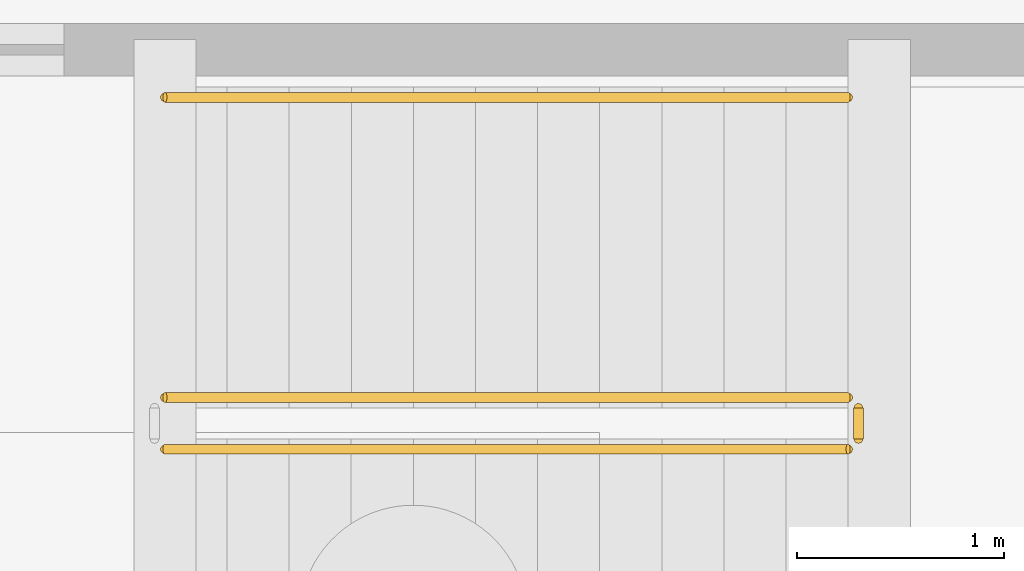
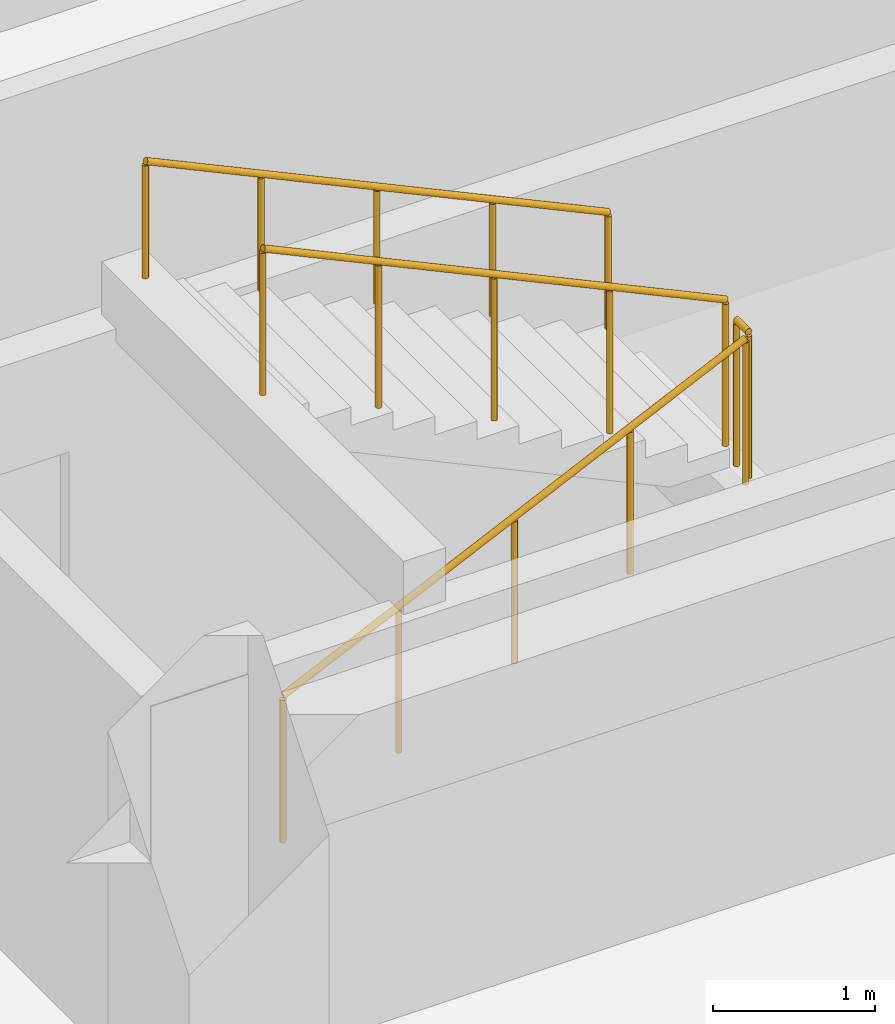
# One storey, part 64 of 70: 4 railings.
"""IFC4 building model written with IfcOpenShell, lengths in metres."""

from ifc_helpers import new_model, si_unit, direction, frame, origin, origin_2d, place, context, subcontext, project, spatial, circle, extrude, material, type_object, element, save


model = new_model("IFC4")

# Units and contexts
model_context = context("Model", 3, precision=1e-05, world=origin(), true_north=direction((0.0, 1.0)))
body_context = subcontext(model_context, "Body", "Model", "MODEL_VIEW")
ifc_project = project(units=[si_unit("LENGTHUNIT", "METRE"), si_unit("AREAUNIT", "SQUARE_METRE"), si_unit("VOLUMEUNIT", "CUBIC_METRE"), si_unit("PLANEANGLEUNIT", "RADIAN"), si_unit("MASSUNIT", "GRAM", prefix="KILO")], contexts=[model_context])

# Site, building, storey
site_placement = place(None, origin())
site = spatial("IfcSite", under=ifc_project, at=site_placement, CompositionType="ELEMENT")
building_placement = place(site_placement, origin())
building = spatial("IfcBuilding", under=site, at=building_placement, Name="Cumbredor Promenade Congress Hotel", CompositionType="ELEMENT")
storey_placement = place(building_placement, frame((0.0, 0.0, -7.56005859375)))
storey = spatial("IfcBuildingStorey", under=building, at=storey_placement, Name="B02", CompositionType="ELEMENT", Elevation=-7.56005859375)

# Railings
ifc_material = material(Name="Brushed stainless steel", Category="steel")
railing_type_1 = type_object("IfcRailingType", Name="Interior Void & Stair Guardrail GR-1100", PredefinedType="GUARDRAIL", material=ifc_material)
railing_1_placement = place(storey_placement, frame((43.800048828125, 103.1201171875, 0.14013671875)))
element("IfcRailing", 1, at=railing_1_placement, inside=storey, type_object=railing_type_1, Name="B02 ST-03 stair guard 1", PredefinedType="GUARDRAIL", context=body_context, shape_type="SweptSolid", body=[
    extrude(circle(Radius=0.02392578125, at=origin_2d()), frame((0.0, 0.0, 1.09619140625), z_axis=(0.906181427284, 0.0, 0.422889135408), x_axis=(0.0, 1.0, 0.0)), (0.0, 0.0, 1.0), 3.6416015625),
    extrude(circle(Radius=0.02099609375, at=origin_2d()), origin(), (0.0, 0.0, 1.0), 1.072021484375),
    extrude(circle(Radius=0.02099609375, at=origin_2d()), frame((0.824951171875, 0.0, 0.385009765625)), (0.0, 0.0, 1.0), 1.072021484375),
    extrude(circle(Radius=0.02099609375, at=origin_2d()), frame((1.64990234375, 0.0, 0.77001953125)), (0.0, 0.0, 1.0), 1.072021484375),
    extrude(circle(Radius=0.02099609375, at=origin_2d()), frame((2.47509765625, 0.0, 1.155029296875)), (0.0, 0.0, 1.0), 1.072021484375),
    extrude(circle(Radius=0.02099609375, at=origin_2d()), frame((3.300048828125, 0.0, 1.5400390625)), (0.0, 0.0, 1.0), 1.072021484375),
])
railing_2_placement = place(storey_placement, frame((47.14990234375, 103.169921875, 1.68017578125)))
element("IfcRailing", 2, at=railing_2_placement, inside=storey, type_object=railing_type_1, Name="B02 ST-03 stair guard 2", PredefinedType="GUARDRAIL", context=body_context, shape_type="SweptSolid", body=[
    extrude(circle(Radius=0.02392578125, at=origin_2d()), frame((0.0, 0.0, 1.09619140625), z_axis=(0.0, 1.0, 0.0), x_axis=(-1.0, 0.0, 0.0)), (0.0, 0.0, 1.0), 0.150146484375),
    extrude(circle(Radius=0.02099609375, at=origin_2d()), origin(), (0.0, 0.0, 1.0), 1.072021484375),
    extrude(circle(Radius=0.02099609375, at=origin_2d()), frame((0.0, 0.150146484375, 0.0)), (0.0, 0.0, 1.0), 1.072021484375),
])
railing_3_placement = place(storey_placement, frame((47.10009765625, 103.3701171875, 1.820068359375)))
element("IfcRailing", 3, at=railing_3_placement, inside=storey, type_object=railing_type_1, Name="B02 ST-03 stair guard 3", PredefinedType="GUARDRAIL", context=body_context, shape_type="SweptSolid", body=[
    extrude(circle(Radius=0.02392578125, at=origin_2d()), frame((0.0, 0.0, 1.09619140625), z_axis=(-0.906181427284, 0.0, 0.422889135408), x_axis=(0.0, -1.0, 0.0)), (0.0, 0.0, 1.0), 3.6416015625),
    extrude(circle(Radius=0.02099609375, at=origin_2d()), origin(), (0.0, 0.0, 1.0), 1.072021484375),
    extrude(circle(Radius=0.02099609375, at=origin_2d()), frame((-0.824951171875, 0.0, 0.385009765625)), (0.0, 0.0, 1.0), 1.072021484375),
    extrude(circle(Radius=0.02099609375, at=origin_2d()), frame((-1.64990234375, 0.0, 0.77001953125)), (0.0, 0.0, 1.0), 1.072021484375),
    extrude(circle(Radius=0.02099609375, at=origin_2d()), frame((-2.47509765625, 0.0, 1.155029296875)), (0.0, 0.0, 1.0), 1.072021484375),
    extrude(circle(Radius=0.02099609375, at=origin_2d()), frame((-3.300048828125, 0.0, 1.5400390625)), (0.0, 0.0, 1.0), 1.072021484375),
])
railing_type_2 = type_object("IfcRailingType", Name="Stair Pitch Handrail HR-900", PredefinedType="HANDRAIL", material=ifc_material)
railing_4_placement = place(storey_placement, frame((47.10009765625, 104.820068359375, 1.820068359375)))
element("IfcRailing", 4, at=railing_4_placement, inside=storey, type_object=railing_type_2, Name="B02 ST-03 stair handrail 2", PredefinedType="HANDRAIL", context=body_context, shape_type="SweptSolid", body=[
    extrude(circle(Radius=0.02392578125, at=origin_2d()), frame((0.0, 0.0, 0.8759765625), z_axis=(-0.906181427284, 0.0, 0.422889135408), x_axis=(0.0, -1.0, 0.0)), (0.0, 0.0, 1.0), 3.6416015625),
    extrude(circle(Radius=0.02099609375, at=origin_2d()), origin(), (0.0, 0.0, 1.0), 0.851806640625),
    extrude(circle(Radius=0.02099609375, at=origin_2d()), frame((-0.824951171875, 0.0, 0.385009765625)), (0.0, 0.0, 1.0), 0.851806640625),
    extrude(circle(Radius=0.02099609375, at=origin_2d()), frame((-1.64990234375, 0.0, 0.77001953125)), (0.0, 0.0, 1.0), 0.851806640625),
    extrude(circle(Radius=0.02099609375, at=origin_2d()), frame((-2.47509765625, 0.0, 1.155029296875)), (0.0, 0.0, 1.0), 0.851806640625),
    extrude(circle(Radius=0.02099609375, at=origin_2d()), frame((-3.300048828125, 0.0, 1.5400390625)), (0.0, 0.0, 1.0), 0.851806640625),
])

save(model, "model.ifc")
